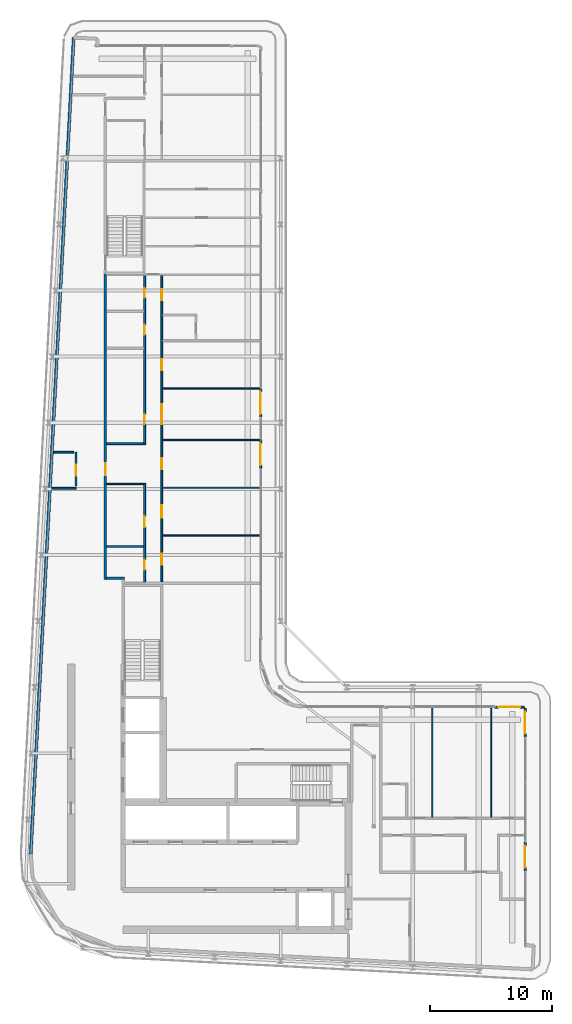
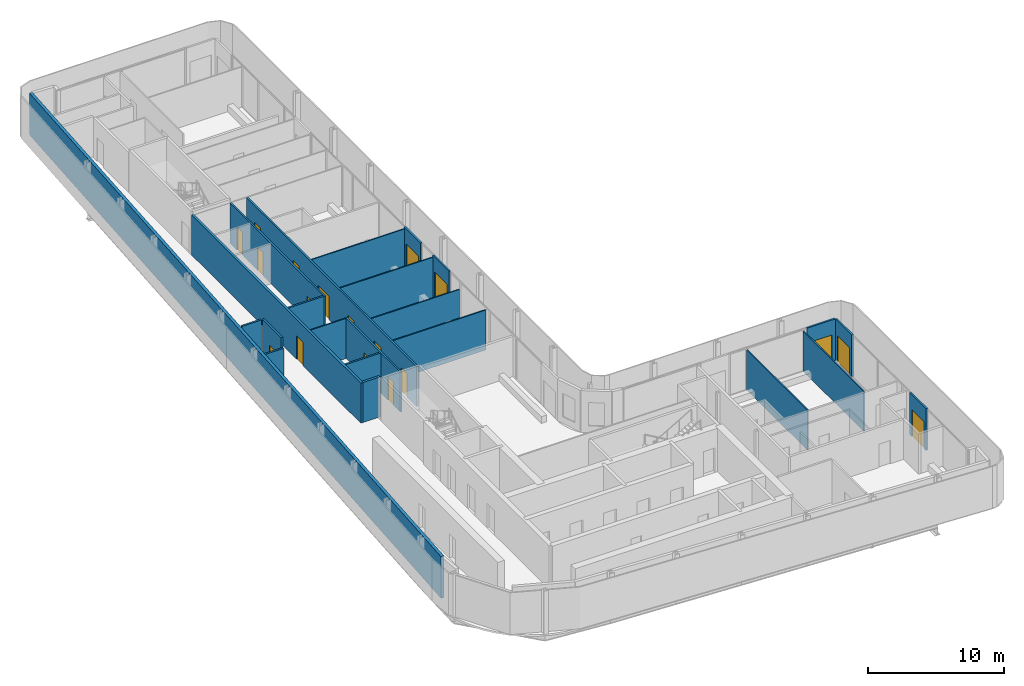
# One storey, part 13 of 21: 23 walls, 18 doors, 18 openings.
"""IFC4 building model written with IfcOpenShell, lengths in metres."""

from ifc_helpers import new_model, si_unit, direction, frame, frame_2d, origin, place, context, subcontext, project, spatial, rectangle, extrude, source, transform, mapped, material, layer, layer_set, type_object, element, fill, save


model = new_model("IFC4")

# Units and contexts
model_context = context("Model", 3, precision=1e-05, world=origin(), true_north=direction((0.0, 1.0)))
body_context = subcontext(model_context, "Body", "Model", "MODEL_VIEW")
ifc_project = project(units=[si_unit("LENGTHUNIT", "METRE"), si_unit("AREAUNIT", "SQUARE_METRE"), si_unit("VOLUMEUNIT", "CUBIC_METRE"), si_unit("PLANEANGLEUNIT", "RADIAN"), si_unit("MASSUNIT", "GRAM", prefix="KILO")], contexts=[model_context])

# Site, building, storey
site_placement = place(None, origin())
site = spatial("IfcSite", under=ifc_project, at=site_placement, CompositionType="ELEMENT")
building_placement = place(site_placement, origin())
building = spatial("IfcBuilding", under=site, at=building_placement, Name="Kheshtan School and Residences Tower", CompositionType="ELEMENT")
storey_placement = place(building_placement, frame((0.0, 0.0, 321.5)))
storey = spatial("IfcBuildingStorey", under=building, at=storey_placement, Name="L76", CompositionType="ELEMENT", Elevation=321.5)

# Wall, opening, door
ifc_material_1 = material(Name="Gypsum board on steel studs with fire boards", Category="steel")
ifc_layer_1 = layer(ifc_material_1, 0.199951171875)
ifc_layer_set_1 = layer_set([ifc_layer_1], Name="Corridor wall 200")
wall_type_1 = type_object("IfcWallType", Name="Corridor wall 200", PredefinedType="PARTITIONING", material=ifc_layer_set_1)
wall_1_placement = place(storey_placement, frame((33.300048828125, 54.39990234375, 0.0), z_axis=(0.0, 0.0, 1.0), x_axis=(0.0, 1.0, 0.0)))
wall_1 = element("IfcWall", 1, at=wall_1_placement, inside=storey, type_object=wall_type_1, Name="Partition L76-003", PredefinedType="PARTITIONING", context=body_context, shape_type="SweptSolid", body=[
    extrude(rectangle(XDim=24.9501953125, YDim=0.199951171875, at=frame_2d((12.47509765625, 0.0))), origin(), (0.0, 0.0, 1.0), 3.60009765625),
])
opening_1_placement = place(wall_1_placement, frame((8.5, 0.0, 0.0)))
opening_1 = element("IfcOpeningElement", 2, at=opening_1_placement, cuts=wall_1, Name="Opening D75-016", PredefinedType="OPENING", context=body_context, shape_type="SweptSolid", body=[
    extrude(rectangle(XDim=1.0, YDim=2.10009765625, at=frame_2d((0.5, 1.050048828125))), frame((0.0, 0.10986328125, 0.0), z_axis=(0.0, -1.0, 0.0), x_axis=(1.0, 0.0, 0.0)), (0.0, 0.0, 1.0), 0.219970703125),
])
ifc_material_2 = material(Name="Steel-framed fire-resisting door leaf", Category="steel")
door_type_1 = type_object("IfcDoorType", Name="Fire door FD30S 1000 x 2100", OperationType="SINGLE_SWING_LEFT", PredefinedType="DOOR", material=ifc_material_2)
shared_shape_1 = source(origin(), body_context, "Body", "SweptSolid", [
    extrude(rectangle(XDim=1.0, YDim=2.10009765625, at=frame_2d((0.5, 1.050048828125))), frame((0.0, 0.02490234375, 0.0), z_axis=(0.0, -1.0, 0.0), x_axis=(1.0, 0.0, 0.0)), (0.0, 0.0, 1.0), 0.050048828125),
])
door_1_placement = place(opening_1_placement, origin())
door_1 = element("IfcDoor", 3, at=door_1_placement, inside=storey, type_object=door_type_1, Name="Door D75-016", OperationType="SINGLE_SWING_RIGHT", OverallHeight=2.10009765625, OverallWidth=1.0, PredefinedType="DOOR", context=body_context, shape_type="MappedRepresentation", body=[
    mapped(shared_shape_1, transform((0.0, 0.0, 0.0), x_axis=(1.0, 0.0, 0.0), y_axis=(0.0, 1.0, 0.0), z_axis=(0.0, 0.0, 1.0), scale=1.0)),
])
fill(opening_1, door_1)

# Walls
wall_2_placement = place(storey_placement, frame((33.39990234375, 54.5, 0.0), z_axis=(0.0, 0.0, 1.0), x_axis=(1.0, 0.0, 0.0)))
element("IfcWall", 4, at=wall_2_placement, inside=storey, type_object=wall_type_1, Name="Partition L76-005", PredefinedType="PARTITIONING", context=body_context, shape_type="SweptSolid", body=[
    extrude(rectangle(XDim=1.4501953125, YDim=0.199951171875, at=frame_2d((0.72509765625, 0.0))), origin(), (0.0, 0.0, 1.0), 3.60009765625),
])
ifc_material_3 = material(Name="Concrete C40/50 with ceramic cladding and mineral wool insulation", Category="concrete")
ifc_layer_2 = layer(ifc_material_3, 0.25)
ifc_layer_set_2 = layer_set([ifc_layer_2], Name="External wall 250 ceramic clad")
wall_type_2 = type_object("IfcWallType", Name="External wall 250 ceramic clad", PredefinedType="SOLIDWALL", material=ifc_layer_set_2)
wall_3_placement = place(storey_placement, frame((27.195068359375, 31.968994140625, 0.0), z_axis=(0.0, 0.0, 1.0), x_axis=(0.052554995867, 0.998618031286, 0.0)))
element("IfcWall", 5, at=wall_3_placement, inside=storey, type_object=wall_type_2, Name="External wall L76 4", PredefinedType="SOLIDWALL", context=body_context, shape_type="SweptSolid", body=[
    extrude(rectangle(XDim=66.787353515625, YDim=0.25, at=frame_2d((33.3935546875, 0.0))), origin(), (0.0, 0.0, 1.0), 3.75),
])

# Wall, opening, door
ifc_material_4 = material(Name="Aluminium frame wall with insulated infill", Category="aluminium")
ifc_layer_3 = layer(ifc_material_4, 0.14990234375)
ifc_layer_set_3 = layer_set([ifc_layer_3], Name="Glazing frame wall 150")
wall_type_3 = type_object("IfcWallType", Name="Glazing frame wall 150", PredefinedType="SOLIDWALL", material=ifc_layer_set_3)
wall_4_placement = place(storey_placement, frame((45.97509765625, 70.01806640625, 0.0), z_axis=(0.0, 0.0, 1.0), x_axis=(0.0, -1.0, 0.0)))
wall_4 = element("IfcWall", 6, at=wall_4_placement, inside=storey, type_object=wall_type_3, Name="Balcony door wall L76 8.3", PredefinedType="SOLIDWALL", context=body_context, shape_type="SweptSolid", body=[
    extrude(rectangle(XDim=2.400146484375, YDim=0.14990234375, at=frame_2d((1.2001953125, 0.0))), origin(), (0.0, 0.0, 1.0), 3.75),
])
opening_2_placement = place(wall_4_placement, frame((0.300048828125, 0.0, 0.0)))
opening_2 = element("IfcOpeningElement", 7, at=opening_2_placement, cuts=wall_4, Name="Opening BD", PredefinedType="OPENING", context=body_context, shape_type="SweptSolid", body=[
    extrude(rectangle(XDim=1.800048828125, YDim=2.39990234375, at=frame_2d((0.89990234375, 1.199951171875))), frame((0.0, 0.0849609375, 0.0), z_axis=(0.0, -1.0, 0.0), x_axis=(1.0, 0.0, 0.0)), (0.0, 0.0, 1.0), 0.169921875),
])
ifc_material_5 = material(Name="Clear low-e glass in thermally broken aluminium frame", Category="aluminium")
door_type_2 = type_object("IfcDoorType", Name="Balcony sliding door", OperationType="SLIDING_TO_LEFT", PredefinedType="DOOR", material=ifc_material_5)
shared_shape_2 = source(origin(), body_context, "Body", "SweptSolid", [
    extrude(rectangle(XDim=1.800048828125, YDim=2.39990234375, at=frame_2d((0.89990234375, 1.199951171875))), frame((0.0, 0.02490234375, 0.0), z_axis=(0.0, -1.0, 0.0), x_axis=(1.0, 0.0, 0.0)), (0.0, 0.0, 1.0), 0.050048828125),
])
door_2_placement = place(opening_2_placement, origin())
door_2 = element("IfcDoor", 8, at=door_2_placement, inside=storey, type_object=door_type_2, Name="Balcony door L76 8.3", OperationType="SLIDING_TO_LEFT", OverallHeight=2.39990234375, OverallWidth=1.800048828125, PredefinedType="DOOR", context=body_context, shape_type="MappedRepresentation", body=[
    mapped(shared_shape_2, transform((0.0, 0.0, 0.0), x_axis=(1.0, 0.0, 0.0), y_axis=(0.0, 1.0, 0.0), z_axis=(0.0, 0.0, 1.0), scale=1.0)),
])
fill(opening_2, door_2)

wall_5_placement = place(storey_placement, frame((45.97509765625, 65.818115234375, 0.0), z_axis=(0.0, 0.0, 1.0), x_axis=(0.0, -1.0, 0.0)))
wall_5 = element("IfcWall", 9, at=wall_5_placement, inside=storey, type_object=wall_type_3, Name="Balcony door wall L76 8.4", PredefinedType="SOLIDWALL", context=body_context, shape_type="SweptSolid", body=[
    extrude(rectangle(XDim=2.400146484375, YDim=0.14990234375, at=frame_2d((1.2001953125, 0.0))), origin(), (0.0, 0.0, 1.0), 3.75),
])
opening_3_placement = place(wall_5_placement, frame((0.300048828125, 0.0, 0.0)))
opening_3 = element("IfcOpeningElement", 10, at=opening_3_placement, cuts=wall_5, Name="Opening BD", PredefinedType="OPENING", context=body_context, shape_type="SweptSolid", body=[
    extrude(rectangle(XDim=1.800048828125, YDim=2.39990234375, at=frame_2d((0.89990234375, 1.199951171875))), frame((0.0, 0.0849609375, 0.0), z_axis=(0.0, -1.0, 0.0), x_axis=(1.0, 0.0, 0.0)), (0.0, 0.0, 1.0), 0.169921875),
])
door_3_placement = place(opening_3_placement, origin())
door_3 = element("IfcDoor", 11, at=door_3_placement, inside=storey, type_object=door_type_2, Name="Balcony door L76 8.4", OperationType="SLIDING_TO_LEFT", OverallHeight=2.39990234375, OverallWidth=1.800048828125, PredefinedType="DOOR", context=body_context, shape_type="MappedRepresentation", body=[
    mapped(shared_shape_2, transform((0.0, 0.0, 0.0), x_axis=(1.0, 0.0, 0.0), y_axis=(0.0, 1.0, 0.0), z_axis=(0.0, 0.0, 1.0), scale=1.0)),
])
fill(opening_3, door_3)

wall_6_placement = place(storey_placement, frame((65.10009765625, 43.97509765625, 0.0), z_axis=(0.0, 0.0, 1.0), x_axis=(1.0, 0.0, 0.0)))
wall_6 = element("IfcWall", 12, at=wall_6_placement, inside=storey, type_object=wall_type_3, Name="Balcony door wall L76 12.2", PredefinedType="SOLIDWALL", context=body_context, shape_type="SweptSolid", body=[
    extrude(rectangle(XDim=2.39990234375, YDim=0.14990234375, at=frame_2d((1.199951171875, 0.0))), origin(), (0.0, 0.0, 1.0), 3.75),
])
opening_4_placement = place(wall_6_placement, frame((0.300048828125, 0.0, 0.0)))
opening_4 = element("IfcOpeningElement", 13, at=opening_4_placement, cuts=wall_6, Name="Opening BD", PredefinedType="OPENING", context=body_context, shape_type="SweptSolid", body=[
    extrude(rectangle(XDim=1.800048828125, YDim=2.39990234375, at=frame_2d((0.89990234375, 1.199951171875))), frame((0.0, 0.0849609375, 0.0), z_axis=(0.0, -1.0, 0.0), x_axis=(1.0, 0.0, 0.0)), (0.0, 0.0, 1.0), 0.169921875),
])
door_4_placement = place(opening_4_placement, origin())
door_4 = element("IfcDoor", 14, at=door_4_placement, inside=storey, type_object=door_type_2, Name="Balcony door L76 12.2", OperationType="SLIDING_TO_LEFT", OverallHeight=2.39990234375, OverallWidth=1.800048828125, PredefinedType="DOOR", context=body_context, shape_type="MappedRepresentation", body=[
    mapped(shared_shape_2, transform((0.0, 0.0, 0.0), x_axis=(1.0, 0.0, 0.0), y_axis=(0.0, 1.0, 0.0), z_axis=(0.0, 0.0, 1.0), scale=1.0)),
])
fill(opening_4, door_4)

wall_7_placement = place(storey_placement, frame((67.574951171875, 43.89990234375, 0.0), z_axis=(0.0, 0.0, 1.0), x_axis=(0.0, -1.0, 0.0)))
wall_7 = element("IfcWall", 15, at=wall_7_placement, inside=storey, type_object=wall_type_3, Name="Balcony door wall L76 13.1", PredefinedType="SOLIDWALL", context=body_context, shape_type="SweptSolid", body=[
    extrude(rectangle(XDim=2.39990234375, YDim=0.14990234375, at=frame_2d((1.199951171875, 0.0))), origin(), (0.0, 0.0, 1.0), 3.75),
])
opening_5_placement = place(wall_7_placement, frame((0.300048828125, 0.0, 0.0)))
opening_5 = element("IfcOpeningElement", 16, at=opening_5_placement, cuts=wall_7, Name="Opening BD", PredefinedType="OPENING", context=body_context, shape_type="SweptSolid", body=[
    extrude(rectangle(XDim=1.800048828125, YDim=2.39990234375, at=frame_2d((0.89990234375, 1.199951171875))), frame((0.0, 0.0849609375, 0.0), z_axis=(0.0, -1.0, 0.0), x_axis=(1.0, 0.0, 0.0)), (0.0, 0.0, 1.0), 0.169921875),
])
door_5_placement = place(opening_5_placement, origin())
door_5 = element("IfcDoor", 17, at=door_5_placement, inside=storey, type_object=door_type_2, Name="Balcony door L76 13.1", OperationType="SLIDING_TO_LEFT", OverallHeight=2.39990234375, OverallWidth=1.800048828125, PredefinedType="DOOR", context=body_context, shape_type="MappedRepresentation", body=[
    mapped(shared_shape_2, transform((0.0, 0.0, 0.0), x_axis=(1.0, 0.0, 0.0), y_axis=(0.0, 1.0, 0.0), z_axis=(0.0, 0.0, 1.0), scale=1.0)),
])
fill(opening_5, door_5)

wall_8_placement = place(storey_placement, frame((67.574951171875, 32.958984375, 0.0), z_axis=(0.0, 0.0, 1.0), x_axis=(0.0, -1.0, 0.0)))
wall_8 = element("IfcWall", 18, at=wall_8_placement, inside=storey, type_object=wall_type_3, Name="Balcony door wall L76 13.2", PredefinedType="SOLIDWALL", context=body_context, shape_type="SweptSolid", body=[
    extrude(rectangle(XDim=2.39990234375, YDim=0.14990234375, at=frame_2d((1.199951171875, 0.0))), origin(), (0.0, 0.0, 1.0), 3.75),
])
opening_6_placement = place(wall_8_placement, frame((0.300048828125, 0.0, 0.0)))
opening_6 = element("IfcOpeningElement", 19, at=opening_6_placement, cuts=wall_8, Name="Opening BD", PredefinedType="OPENING", context=body_context, shape_type="SweptSolid", body=[
    extrude(rectangle(XDim=1.800048828125, YDim=2.39990234375, at=frame_2d((0.89990234375, 1.199951171875))), frame((0.0, 0.0849609375, 0.0), z_axis=(0.0, -1.0, 0.0), x_axis=(1.0, 0.0, 0.0)), (0.0, 0.0, 1.0), 0.169921875),
])
door_6_placement = place(opening_6_placement, origin())
door_6 = element("IfcDoor", 20, at=door_6_placement, inside=storey, type_object=door_type_2, Name="Balcony door L76 13.2", OperationType="SLIDING_TO_LEFT", OverallHeight=2.39990234375, OverallWidth=1.800048828125, PredefinedType="DOOR", context=body_context, shape_type="MappedRepresentation", body=[
    mapped(shared_shape_2, transform((0.0, 0.0, 0.0), x_axis=(1.0, 0.0, 0.0), y_axis=(0.0, 1.0, 0.0), z_axis=(0.0, 0.0, 1.0), scale=1.0)),
])
fill(opening_6, door_6)

# Walls
ifc_material_6 = material(Name="Gypsum board on steel studs", Category="steel")
ifc_layer_4 = layer(ifc_material_6, 0.10009765625)
ifc_layer_set_4 = layer_set([ifc_layer_4], Name="Gypsum partition 100")
wall_type_4 = type_object("IfcWallType", Name="Gypsum partition 100", PredefinedType="PARTITIONING", material=ifc_layer_set_4)
wall_9_placement = place(storey_placement, frame((33.39990234375, 62.199951171875, 0.0), z_axis=(0.0, 0.0, 1.0), x_axis=(1.0, 0.0, 0.0)))
element("IfcWall", 21, at=wall_9_placement, inside=storey, type_object=wall_type_4, Name="Partition L76-007", PredefinedType="PARTITIONING", context=body_context, shape_type="SweptSolid", body=[
    extrude(rectangle(XDim=3.025146484375, YDim=0.10009765625, at=frame_2d((1.5126953125, 0.0))), origin(), (0.0, 0.0, 1.0), 3.60009765625),
])
wall_10_placement = place(storey_placement, frame((37.97509765625, 58.0, 0.0), z_axis=(0.0, 0.0, 1.0), x_axis=(1.0, 0.0, 0.0)))
element("IfcWall", 22, at=wall_10_placement, inside=storey, type_object=wall_type_4, Name="Partition L76-028", PredefinedType="PARTITIONING", context=body_context, shape_type="SweptSolid", body=[
    extrude(rectangle(XDim=7.9248046875, YDim=0.10009765625, at=frame_2d((3.96240234375, 0.0))), origin(), (0.0, 0.0, 1.0), 3.60009765625),
])
wall_11_placement = place(storey_placement, frame((37.97509765625, 61.89990234375, 0.0), z_axis=(0.0, 0.0, 1.0), x_axis=(1.0, 0.0, 0.0)))
element("IfcWall", 23, at=wall_11_placement, inside=storey, type_object=wall_type_4, Name="Partition L76-029", PredefinedType="PARTITIONING", context=body_context, shape_type="SweptSolid", body=[
    extrude(rectangle(XDim=7.9248046875, YDim=0.10009765625, at=frame_2d((3.96240234375, 0.0))), origin(), (0.0, 0.0, 1.0), 3.072021484375),
])
for number, where, z_axis, x_axis, name in (
    (24, (37.97509765625, 65.800048828125, 0.0), (0.0, 0.0, 1.0), (1.0, 0.0, 0.0), "Partition L76-030"),
    (25, (37.97509765625, 70.0, 0.0), (0.0, 0.0, 1.0), (1.0, 0.0, 0.0), "Partition L76-031"),
):
    element("IfcWall", number, at=place(storey_placement, frame(where, z_axis=z_axis, x_axis=x_axis)), inside=storey, type_object=wall_type_4, Name=name, PredefinedType="PARTITIONING", context=body_context, shape_type="SweptSolid", body=[
        extrude(rectangle(XDim=7.9248046875, YDim=0.10009765625, at=frame_2d((3.96240234375, 0.0))), origin(), (0.0, 0.0, 1.0), 3.60009765625),
    ])
for number, where, z_axis, x_axis, name in (
    (26, (60.0, 34.97509765625, 0.0), (0.0, 0.0, 1.0), (0.0, 1.0, 0.0), "Partition L76-045"),
    (27, (64.800048828125, 34.97509765625, 0.0), (0.0, 0.0, 1.0), (0.0, 1.0, 0.0), "Partition L76-047"),
):
    element("IfcWall", number, at=place(storey_placement, frame(where, z_axis=z_axis, x_axis=x_axis)), inside=storey, type_object=wall_type_4, Name=name, PredefinedType="PARTITIONING", context=body_context, shape_type="SweptSolid", body=[
        extrude(rectangle(XDim=8.9248046875, YDim=0.10009765625, at=frame_2d((4.46240234375, 0.0))), origin(), (0.0, 0.0, 1.0), 3.60009765625),
    ])
ifc_material_7 = material(Name="Fire-board shaft wall system")
ifc_layer_5 = layer(ifc_material_7, 0.14990234375)
ifc_layer_set_5 = layer_set([ifc_layer_5], Name="Service room wall 150")
wall_type_5 = type_object("IfcWallType", Name="Service room wall 150", PredefinedType="PARTITIONING", material=ifc_layer_set_5)
wall_12_placement = place(storey_placement, frame((28.89501953125, 61.85107421875, 0.0), z_axis=(0.0, 0.0, 1.0), x_axis=(1.0, 0.0, 0.0)))
element("IfcWall", 28, at=wall_12_placement, inside=storey, type_object=wall_type_5, Name="Service room wall", PredefinedType="PARTITIONING", context=body_context, shape_type="SweptSolid", body=[
    extrude(rectangle(XDim=2.0048828125, YDim=0.14990234375, at=frame_2d((1.00244140625, 0.0))), origin(), (0.0, 0.0, 1.0), 3.072021484375),
])

# Wall, opening, door
wall_13_placement = place(storey_placement, frame((30.89990234375, 62.0458984375, 0.0), z_axis=(0.0, 0.0, 1.0), x_axis=(0.0, 1.0, 0.0)))
wall_13 = element("IfcWall", 29, at=wall_13_placement, inside=storey, type_object=wall_type_5, Name="Service room wall", PredefinedType="PARTITIONING", context=body_context, shape_type="SweptSolid", body=[
    extrude(rectangle(XDim=2.754150390625, YDim=0.14990234375, at=frame_2d((1.376953125, 0.0))), origin(), (0.0, 0.0, 1.0), 3.89990234375),
])
opening_7_placement = place(wall_13_placement, frame((0.830078125, 0.0, 0.0)))
opening_7 = element("IfcOpeningElement", 30, at=opening_7_placement, cuts=wall_13, Name="Opening SR90", PredefinedType="OPENING", context=body_context, shape_type="SweptSolid", body=[
    extrude(rectangle(XDim=0.89990234375, YDim=2.199951171875, at=frame_2d((0.449951171875, 1.10009765625))), frame((0.0, 0.0849609375, 0.0), z_axis=(0.0, -1.0, 0.0), x_axis=(1.0, 0.0, 0.0)), (0.0, 0.0, 1.0), 0.169921875),
])
ifc_material_8 = material(Name="Steel door leaf, galvanised", Category="steel")
door_type_3 = type_object("IfcDoorType", Name="Service room door 900 steel 90 min", OperationType="SINGLE_SWING_LEFT", PredefinedType="DOOR", material=ifc_material_8)
shared_shape_3 = source(origin(), body_context, "Body", "SweptSolid", [
    extrude(rectangle(XDim=0.89990234375, YDim=2.199951171875, at=frame_2d((0.449951171875, 1.10009765625))), frame((0.0, 0.02490234375, 0.0), z_axis=(0.0, -1.0, 0.0), x_axis=(1.0, 0.0, 0.0)), (0.0, 0.0, 1.0), 0.050048828125),
])
door_7_placement = place(opening_7_placement, origin())
door_7 = element("IfcDoor", 31, at=door_7_placement, inside=storey, type_object=door_type_3, Name="Service room door", OperationType="SINGLE_SWING_LEFT", OverallHeight=2.199951171875, OverallWidth=0.89990234375, PredefinedType="DOOR", context=body_context, shape_type="MappedRepresentation", body=[
    mapped(shared_shape_3, transform((0.0, 0.0, 0.0), x_axis=(1.0, 0.0, 0.0), y_axis=(0.0, 1.0, 0.0), z_axis=(0.0, 0.0, 1.0), scale=1.0)),
])
fill(opening_7, door_7)

# Walls
wall_14_placement = place(storey_placement, frame((29.050048828125, 64.800048828125, 0.0), z_axis=(0.0, 0.0, 1.0), x_axis=(1.0, 0.0, 0.0)))
element("IfcWall", 32, at=wall_14_placement, inside=storey, type_object=wall_type_5, Name="Service room wall", PredefinedType="PARTITIONING", context=body_context, shape_type="SweptSolid", body=[
    extrude(rectangle(XDim=1.655029296875, YDim=0.14990234375, at=frame_2d((0.82763671875, 0.0))), origin(), (0.0, 0.0, 1.0), 3.89990234375),
])
ifc_material_9 = material(Name="Moisture-resistant gypsum board on steel studs", Category="steel")
ifc_layer_6 = layer(ifc_material_9, 0.14990234375)
ifc_layer_set_6 = layer_set([ifc_layer_6], Name="Wet-room partition 150")
wall_type_6 = type_object("IfcWallType", Name="Wet-room partition 150", PredefinedType="PARTITIONING", material=ifc_layer_set_6)
for number, where, z_axis, x_axis, name in (
    (33, (33.39990234375, 57.10009765625, 0.0), (0.0, 0.0, 1.0), (1.0, 0.0, 0.0), "Partition L76-006"),
    (34, (33.39990234375, 65.5, 0.0), (0.0, 0.0, 1.0), (1.0, 0.0, 0.0), "Partition L76-008"),
):
    element("IfcWall", number, at=place(storey_placement, frame(where, z_axis=z_axis, x_axis=x_axis)), inside=storey, type_object=wall_type_6, Name=name, PredefinedType="PARTITIONING", context=body_context, shape_type="SweptSolid", body=[
        extrude(rectangle(XDim=3.025146484375, YDim=0.14990234375, at=frame_2d((1.5126953125, 0.0))), origin(), (0.0, 0.0, 1.0), 3.60009765625),
    ])

# Wall, openings, doors
wall_15_placement = place(storey_placement, frame((36.5, 54.199951171875, 0.0), z_axis=(0.0, 0.0, 1.0), x_axis=(0.0, 1.0, 0.0)))
wall_15 = element("IfcWall", 35, at=wall_15_placement, inside=storey, type_object=wall_type_6, Name="Partition L76-018", PredefinedType="PARTITIONING", context=body_context, shape_type="SweptSolid", body=[
    extrude(rectangle(XDim=8.050048828125, YDim=0.14990234375, at=frame_2d((4.02490234375, 0.0))), origin(), (0.0, 0.0, 1.0), 3.60009765625),
])
opening_8_placement = place(wall_15_placement, frame((1.0, 0.0, 0.0)))
opening_8 = element("IfcOpeningElement", 36, at=opening_8_placement, cuts=wall_15, Name="Opening D75-009", PredefinedType="OPENING", context=body_context, shape_type="SweptSolid", body=[
    extrude(rectangle(XDim=0.800048828125, YDim=2.10009765625, at=frame_2d((0.39990234375, 1.050048828125))), frame((0.0, 0.0849609375, 0.0), z_axis=(0.0, -1.0, 0.0), x_axis=(1.0, 0.0, 0.0)), (0.0, 0.0, 1.0), 0.169921875),
])
opening_9_placement = place(wall_15_placement, frame((4.449951171875, 0.0, 0.0)))
opening_9 = element("IfcOpeningElement", 37, at=opening_9_placement, cuts=wall_15, Name="Opening D75-017", PredefinedType="OPENING", context=body_context, shape_type="SweptSolid", body=[
    extrude(rectangle(XDim=0.89990234375, YDim=2.10009765625, at=frame_2d((0.449951171875, 1.050048828125))), frame((0.0, 0.0849609375, 0.0), z_axis=(0.0, -1.0, 0.0), x_axis=(1.0, 0.0, 0.0)), (0.0, 0.0, 1.0), 0.169921875),
])
ifc_material_10 = material(Name="Veneered timber door leaf", Category="wood")
door_type_4 = type_object("IfcDoorType", Name="Door 800 x 2100", OperationType="SINGLE_SWING_LEFT", PredefinedType="DOOR", material=ifc_material_10)
shared_shape_4 = source(origin(), body_context, "Body", "SweptSolid", [
    extrude(rectangle(XDim=0.800048828125, YDim=2.10009765625, at=frame_2d((0.39990234375, 1.050048828125))), frame((0.0, 0.02490234375, 0.0), z_axis=(0.0, -1.0, 0.0), x_axis=(1.0, 0.0, 0.0)), (0.0, 0.0, 1.0), 0.050048828125),
])
door_8_placement = place(opening_8_placement, origin())
door_8 = element("IfcDoor", 38, at=door_8_placement, inside=storey, type_object=door_type_4, Name="Door D75-009", OperationType="SINGLE_SWING_RIGHT", OverallHeight=2.10009765625, OverallWidth=0.800048828125, PredefinedType="DOOR", context=body_context, shape_type="MappedRepresentation", body=[
    mapped(shared_shape_4, transform((0.0, 0.0, 0.0), x_axis=(1.0, 0.0, 0.0), y_axis=(0.0, 1.0, 0.0), z_axis=(0.0, 0.0, 1.0), scale=1.0)),
])
fill(opening_8, door_8)
door_type_5 = type_object("IfcDoorType", Name="Door 900 x 2100", OperationType="SINGLE_SWING_LEFT", PredefinedType="DOOR", material=ifc_material_10)
shared_shape_5 = source(origin(), body_context, "Body", "SweptSolid", [
    extrude(rectangle(XDim=0.89990234375, YDim=2.10009765625, at=frame_2d((0.449951171875, 1.050048828125))), frame((0.0, 0.02490234375, 0.0), z_axis=(0.0, -1.0, 0.0), x_axis=(1.0, 0.0, 0.0)), (0.0, 0.0, 1.0), 0.050048828125),
])
door_9_placement = place(opening_9_placement, origin())
door_9 = element("IfcDoor", 39, at=door_9_placement, inside=storey, type_object=door_type_5, Name="Door D75-017", OperationType="SINGLE_SWING_RIGHT", OverallHeight=2.10009765625, OverallWidth=0.89990234375, PredefinedType="DOOR", context=body_context, shape_type="MappedRepresentation", body=[
    mapped(shared_shape_5, transform((0.0, 0.0, 0.0), x_axis=(1.0, 0.0, 0.0), y_axis=(0.0, 1.0, 0.0), z_axis=(0.0, 0.0, 1.0), scale=1.0)),
])
fill(opening_9, door_9)

wall_16_placement = place(storey_placement, frame((36.5, 65.425048828125, 0.0), z_axis=(0.0, 0.0, 1.0), x_axis=(0.0, 1.0, 0.0)))
wall_16 = element("IfcWall", 40, at=wall_16_placement, inside=storey, type_object=wall_type_6, Name="Partition L76-019", PredefinedType="PARTITIONING", context=body_context, shape_type="SweptSolid", body=[
    extrude(rectangle(XDim=13.824951171875, YDim=0.14990234375, at=frame_2d((6.91259765625, 0.0))), origin(), (0.0, 0.0, 1.0), 3.60009765625),
])
opening_10_placement = place(wall_16_placement, frame((8.97509765625, 0.0, 0.0)))
opening_10 = element("IfcOpeningElement", 41, at=opening_10_placement, cuts=wall_16, Name="Opening D75-010", PredefinedType="OPENING", context=body_context, shape_type="SweptSolid", body=[
    extrude(rectangle(XDim=0.800048828125, YDim=2.10009765625, at=frame_2d((0.39990234375, 1.050048828125))), frame((0.0, 0.0849609375, 0.0), z_axis=(0.0, -1.0, 0.0), x_axis=(1.0, 0.0, 0.0)), (0.0, 0.0, 1.0), 0.169921875),
])
opening_11_placement = place(wall_16_placement, frame((11.97509765625, 0.0, 0.0)))
opening_11 = element("IfcOpeningElement", 42, at=opening_11_placement, cuts=wall_16, Name="Opening D75-014", PredefinedType="OPENING", context=body_context, shape_type="SweptSolid", body=[
    extrude(rectangle(XDim=0.800048828125, YDim=2.10009765625, at=frame_2d((0.39990234375, 1.050048828125))), frame((0.0, 0.0849609375, 0.0), z_axis=(0.0, -1.0, 0.0), x_axis=(1.0, 0.0, 0.0)), (0.0, 0.0, 1.0), 0.169921875),
])
opening_12_placement = place(wall_16_placement, frame((1.675048828125, 0.0, 0.0)))
opening_12 = element("IfcOpeningElement", 43, at=opening_12_placement, cuts=wall_16, Name="Opening D75-021", PredefinedType="OPENING", context=body_context, shape_type="SweptSolid", body=[
    extrude(rectangle(XDim=0.800048828125, YDim=2.10009765625, at=frame_2d((0.39990234375, 1.050048828125))), frame((0.0, 0.0849609375, 0.0), z_axis=(0.0, -1.0, 0.0), x_axis=(1.0, 0.0, 0.0)), (0.0, 0.0, 1.0), 0.169921875),
])
door_10_placement = place(opening_10_placement, origin())
door_10 = element("IfcDoor", 44, at=door_10_placement, inside=storey, type_object=door_type_4, Name="Door D75-010", OperationType="SINGLE_SWING_RIGHT", OverallHeight=2.10009765625, OverallWidth=0.800048828125, PredefinedType="DOOR", context=body_context, shape_type="MappedRepresentation", body=[
    mapped(shared_shape_4, transform((0.0, 0.0, 0.0), x_axis=(1.0, 0.0, 0.0), y_axis=(0.0, 1.0, 0.0), z_axis=(0.0, 0.0, 1.0), scale=1.0)),
])
fill(opening_10, door_10)
door_11_placement = place(opening_11_placement, origin())
door_11 = element("IfcDoor", 45, at=door_11_placement, inside=storey, type_object=door_type_4, Name="Door D75-014", OperationType="SINGLE_SWING_RIGHT", OverallHeight=2.10009765625, OverallWidth=0.800048828125, PredefinedType="DOOR", context=body_context, shape_type="MappedRepresentation", body=[
    mapped(shared_shape_4, transform((0.0, 0.0, 0.0), x_axis=(1.0, 0.0, 0.0), y_axis=(0.0, 1.0, 0.0), z_axis=(0.0, 0.0, 1.0), scale=1.0)),
])
fill(opening_11, door_11)
door_12_placement = place(opening_12_placement, origin())
door_12 = element("IfcDoor", 46, at=door_12_placement, inside=storey, type_object=door_type_4, Name="Door D75-021", OperationType="SINGLE_SWING_LEFT", OverallHeight=2.10009765625, OverallWidth=0.800048828125, PredefinedType="DOOR", context=body_context, shape_type="MappedRepresentation", body=[
    mapped(shared_shape_4, transform((0.0, 0.0, 0.0), x_axis=(1.0, 0.0, 0.0), y_axis=(0.0, 1.0, 0.0), z_axis=(0.0, 0.0, 1.0), scale=1.0)),
])
fill(opening_12, door_12)

wall_17_placement = place(storey_placement, frame((37.89990234375, 54.199951171875, 0.0), z_axis=(0.0, 0.0, 1.0), x_axis=(0.0, 1.0, 0.0)))
wall_17 = element("IfcWall", 47, at=wall_17_placement, inside=storey, type_object=wall_type_6, Name="Partition L76-025", PredefinedType="PARTITIONING", context=body_context, shape_type="SweptSolid", body=[
    extrude(rectangle(XDim=25.050048828125, YDim=0.14990234375, at=frame_2d((12.52490234375, 0.0))), origin(), (0.0, 0.0, 1.0), 3.60009765625),
])
opening_13_placement = place(wall_17_placement, frame((1.39990234375, 0.0, 0.0)))
opening_13 = element("IfcOpeningElement", 48, at=opening_13_placement, cuts=wall_17, Name="Opening D75-011", PredefinedType="OPENING", context=body_context, shape_type="SweptSolid", body=[
    extrude(rectangle(XDim=0.89990234375, YDim=2.10009765625, at=frame_2d((0.449951171875, 1.050048828125))), frame((0.0, 0.0849609375, 0.0), z_axis=(0.0, -1.0, 0.0), x_axis=(1.0, 0.0, 0.0)), (0.0, 0.0, 1.0), 0.169921875),
])
opening_14_placement = place(wall_17_placement, frame((9.199951171875, 0.0, 0.0)))
opening_14 = element("IfcOpeningElement", 49, at=opening_14_placement, cuts=wall_17, Name="Opening D75-012", PredefinedType="OPENING", context=body_context, shape_type="SweptSolid", body=[
    extrude(rectangle(XDim=0.89990234375, YDim=2.10009765625, at=frame_2d((0.449951171875, 1.050048828125))), frame((0.0, 0.0849609375, 0.0), z_axis=(0.0, -1.0, 0.0), x_axis=(1.0, 0.0, 0.0)), (0.0, 0.0, 1.0), 0.169921875),
])
opening_15_placement = place(wall_17_placement, frame((17.300048828125, 0.0, 0.0)))
opening_15 = element("IfcOpeningElement", 50, at=opening_15_placement, cuts=wall_17, Name="Opening D75-013", PredefinedType="OPENING", context=body_context, shape_type="SweptSolid", body=[
    extrude(rectangle(XDim=0.89990234375, YDim=2.10009765625, at=frame_2d((0.449951171875, 1.050048828125))), frame((0.0, 0.0849609375, 0.0), z_axis=(0.0, -1.0, 0.0), x_axis=(1.0, 0.0, 0.0)), (0.0, 0.0, 1.0), 0.169921875),
])
opening_16_placement = place(wall_17_placement, frame((5.25, 0.0, 0.0)))
opening_16 = element("IfcOpeningElement", 51, at=opening_16_placement, cuts=wall_17, Name="Opening D75-018", PredefinedType="OPENING", context=body_context, shape_type="SweptSolid", body=[
    extrude(rectangle(XDim=1.0, YDim=2.10009765625, at=frame_2d((0.5, 1.050048828125))), frame((0.0, 0.0849609375, 0.0), z_axis=(0.0, -1.0, 0.0), x_axis=(1.0, 0.0, 0.0)), (0.0, 0.0, 1.0), 0.169921875),
])
opening_17_placement = place(wall_17_placement, frame((12.89990234375, 0.0, 0.0)))
opening_17 = element("IfcOpeningElement", 52, at=opening_17_placement, cuts=wall_17, Name="Opening D75-019", PredefinedType="OPENING", context=body_context, shape_type="SweptSolid", body=[
    extrude(rectangle(XDim=1.60009765625, YDim=2.10009765625, at=frame_2d((0.800048828125, 1.050048828125))), frame((0.0, 0.0849609375, 0.0), z_axis=(0.0, -1.0, 0.0), x_axis=(1.0, 0.0, 0.0)), (0.0, 0.0, 1.0), 0.169921875),
])
opening_18_placement = place(wall_17_placement, frame((23.0, 0.0, 0.0)))
opening_18 = element("IfcOpeningElement", 53, at=opening_18_placement, cuts=wall_17, Name="Opening D75-020", PredefinedType="OPENING", context=body_context, shape_type="SweptSolid", body=[
    extrude(rectangle(XDim=0.89990234375, YDim=2.10009765625, at=frame_2d((0.449951171875, 1.050048828125))), frame((0.0, 0.0849609375, 0.0), z_axis=(0.0, -1.0, 0.0), x_axis=(1.0, 0.0, 0.0)), (0.0, 0.0, 1.0), 0.169921875),
])
door_type_6 = type_object("IfcDoorType", Name="Door 1000 x 2100", OperationType="SINGLE_SWING_LEFT", PredefinedType="DOOR", material=ifc_material_10)
shared_shape_6 = source(origin(), body_context, "Body", "SweptSolid", [
    extrude(rectangle(XDim=1.0, YDim=2.10009765625, at=frame_2d((0.5, 1.050048828125))), frame((0.0, 0.02490234375, 0.0), z_axis=(0.0, -1.0, 0.0), x_axis=(1.0, 0.0, 0.0)), (0.0, 0.0, 1.0), 0.050048828125),
])
door_13_placement = place(opening_16_placement, origin())
door_13 = element("IfcDoor", 54, at=door_13_placement, inside=storey, type_object=door_type_6, Name="Door D75-018", OperationType="SINGLE_SWING_LEFT", OverallHeight=2.10009765625, OverallWidth=1.0, PredefinedType="DOOR", context=body_context, shape_type="MappedRepresentation", body=[
    mapped(shared_shape_6, transform((0.0, 0.0, 0.0), x_axis=(1.0, 0.0, 0.0), y_axis=(0.0, 1.0, 0.0), z_axis=(0.0, 0.0, 1.0), scale=1.0)),
])
fill(opening_16, door_13)
door_14_placement = place(opening_13_placement, origin())
door_14 = element("IfcDoor", 55, at=door_14_placement, inside=storey, type_object=door_type_5, Name="Door D75-011", OperationType="SINGLE_SWING_RIGHT", OverallHeight=2.10009765625, OverallWidth=0.89990234375, PredefinedType="DOOR", context=body_context, shape_type="MappedRepresentation", body=[
    mapped(shared_shape_5, transform((0.0, 0.0, 0.0), x_axis=(1.0, 0.0, 0.0), y_axis=(0.0, 1.0, 0.0), z_axis=(0.0, 0.0, 1.0), scale=1.0)),
])
fill(opening_13, door_14)
door_15_placement = place(opening_14_placement, origin())
door_15 = element("IfcDoor", 56, at=door_15_placement, inside=storey, type_object=door_type_5, Name="Door D75-012", OperationType="SINGLE_SWING_LEFT", OverallHeight=2.10009765625, OverallWidth=0.89990234375, PredefinedType="DOOR", context=body_context, shape_type="MappedRepresentation", body=[
    mapped(shared_shape_5, transform((0.0, 0.0, 0.0), x_axis=(1.0, 0.0, 0.0), y_axis=(0.0, 1.0, 0.0), z_axis=(0.0, 0.0, 1.0), scale=1.0)),
])
fill(opening_14, door_15)
door_16_placement = place(opening_15_placement, origin())
door_16 = element("IfcDoor", 57, at=door_16_placement, inside=storey, type_object=door_type_5, Name="Door D75-013", OperationType="SINGLE_SWING_RIGHT", OverallHeight=2.10009765625, OverallWidth=0.89990234375, PredefinedType="DOOR", context=body_context, shape_type="MappedRepresentation", body=[
    mapped(shared_shape_5, transform((0.0, 0.0, 0.0), x_axis=(1.0, 0.0, 0.0), y_axis=(0.0, 1.0, 0.0), z_axis=(0.0, 0.0, 1.0), scale=1.0)),
])
fill(opening_15, door_16)
door_17_placement = place(opening_18_placement, origin())
door_17 = element("IfcDoor", 58, at=door_17_placement, inside=storey, type_object=door_type_5, Name="Door D75-020", OperationType="SINGLE_SWING_LEFT", OverallHeight=2.10009765625, OverallWidth=0.89990234375, PredefinedType="DOOR", context=body_context, shape_type="MappedRepresentation", body=[
    mapped(shared_shape_5, transform((0.0, 0.0, 0.0), x_axis=(1.0, 0.0, 0.0), y_axis=(0.0, 1.0, 0.0), z_axis=(0.0, 0.0, 1.0), scale=1.0)),
])
fill(opening_18, door_17)
door_type_7 = type_object("IfcDoorType", Name="Double door 1600 x 2100", OperationType="DOUBLE_DOOR_SINGLE_SWING", PredefinedType="DOOR", material=ifc_material_10)
shared_shape_7 = source(origin(), body_context, "Body", "SweptSolid", [
    extrude(rectangle(XDim=1.60009765625, YDim=2.10009765625, at=frame_2d((0.800048828125, 1.050048828125))), frame((0.0, 0.02490234375, 0.0), z_axis=(0.0, -1.0, 0.0), x_axis=(1.0, 0.0, 0.0)), (0.0, 0.0, 1.0), 0.050048828125),
])
door_18_placement = place(opening_17_placement, origin())
door_18 = element("IfcDoor", 59, at=door_18_placement, inside=storey, type_object=door_type_7, Name="Door D75-019", OperationType="DOUBLE_DOOR_SINGLE_SWING", OverallHeight=2.10009765625, OverallWidth=1.60009765625, PredefinedType="DOOR", context=body_context, shape_type="MappedRepresentation", body=[
    mapped(shared_shape_7, transform((0.0, 0.0, 0.0), x_axis=(1.0, 0.0, 0.0), y_axis=(0.0, 1.0, 0.0), z_axis=(0.0, 0.0, 1.0), scale=1.0)),
])
fill(opening_17, door_18)

save(model, "model.ifc")
